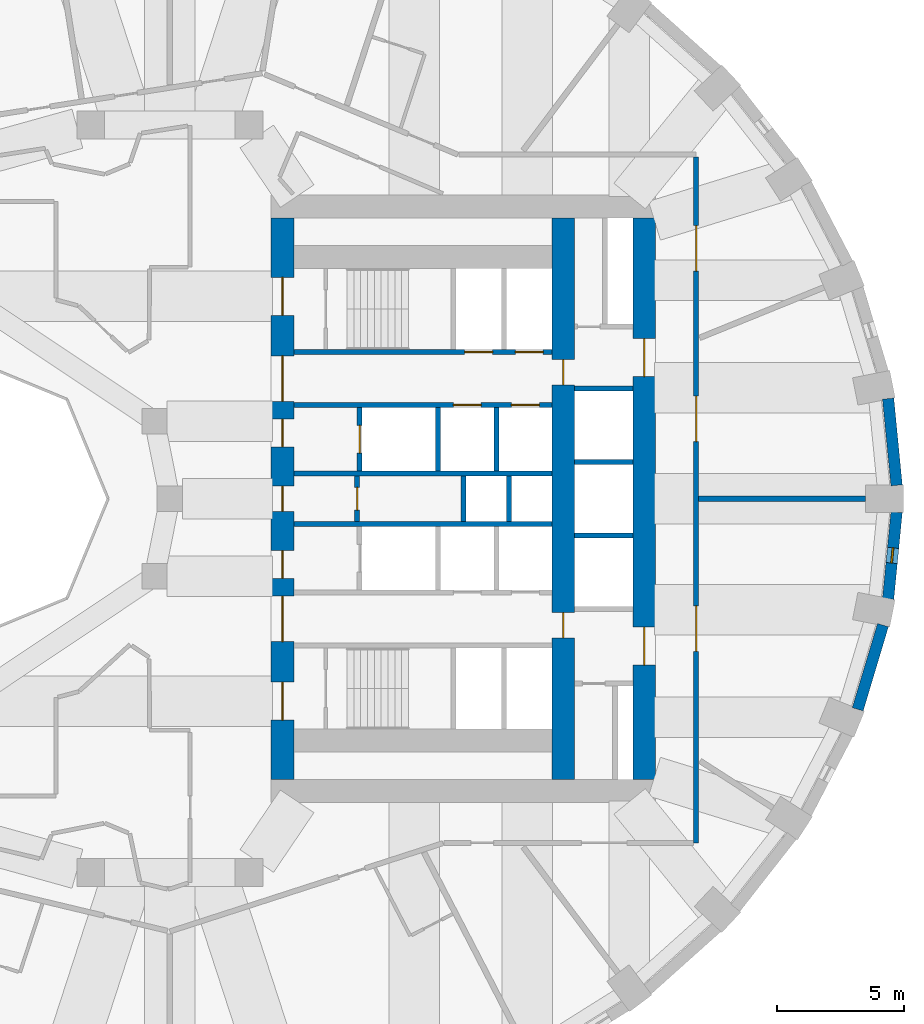
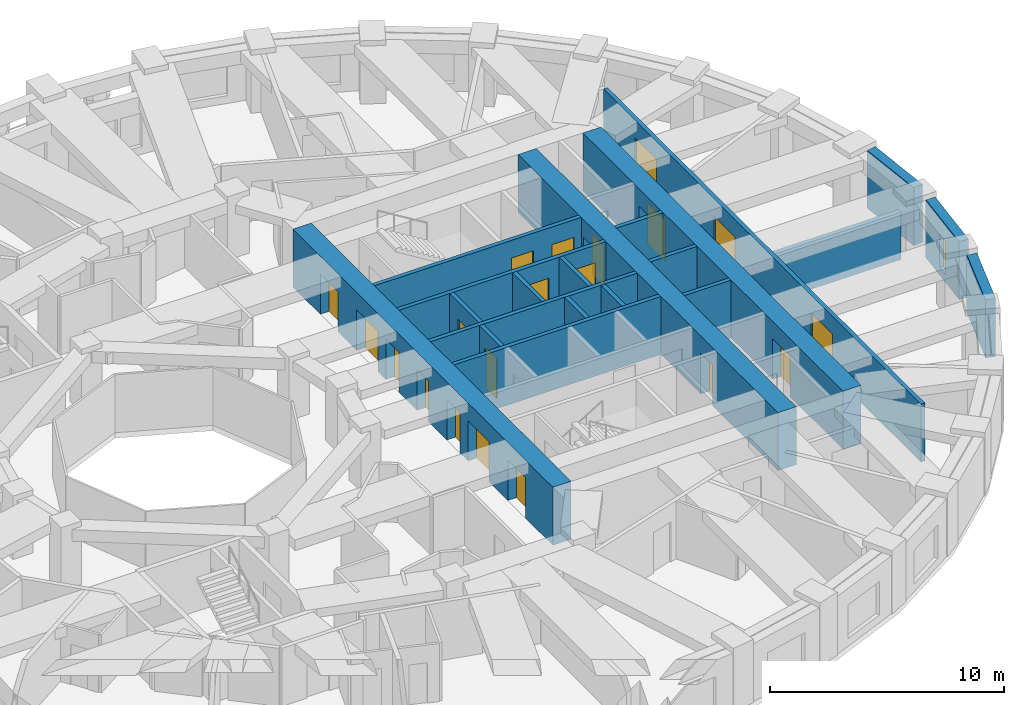
# One storey, part 6 of 13: 21 walls, 20 doors, 1 window, 21 openings.
"""IFC4 building model written with IfcOpenShell, lengths in metres."""

from ifc_helpers import new_model, si_unit, direction, frame, frame_2d, origin, place, context, subcontext, project, spatial, rectangle, extrude, material, layer, layer_set, type_object, element, fill, save


model = new_model("IFC4")

# Units and contexts
model_context = context("Model", 3, precision=1e-05, world=origin(), true_north=direction((0.0, 1.0)))
body_context = subcontext(model_context, "Body", "Model", "MODEL_VIEW")
ifc_project = project(units=[si_unit("LENGTHUNIT", "METRE"), si_unit("AREAUNIT", "SQUARE_METRE"), si_unit("VOLUMEUNIT", "CUBIC_METRE"), si_unit("PLANEANGLEUNIT", "RADIAN"), si_unit("MASSUNIT", "GRAM", prefix="KILO")], contexts=[model_context])

# Site, building, storey
site_placement = place(None, origin())
site = spatial("IfcSite", under=ifc_project, at=site_placement, CompositionType="ELEMENT")
building_placement = place(site_placement, origin())
building = spatial("IfcBuilding", under=site, at=building_placement, Name="Taillehof Tower", CompositionType="ELEMENT")
storey_placement = place(building_placement, frame((0.0, 0.0, 51.39990234375)))
storey = spatial("IfcBuildingStorey", under=building, at=storey_placement, Name="L13", CompositionType="ELEMENT", Elevation=51.39990234375)

# Walls
ifc_material_1 = material(Name="Brick masonry", Category="masonry")
ifc_layer_1 = layer(ifc_material_1, 0.449951171875)
ifc_layer_set_1 = layer_set([ifc_layer_1], Name="Brick infill wall 450")
wall_type_1 = type_object("IfcWallType", Name="Brick infill wall 450", PredefinedType="SOLIDWALL", material=ifc_layer_set_1)
wall_1_placement = place(storey_placement, frame((28.721923828125, 0.530029296875, 0.0), z_axis=(0.0, 0.0, 1.0), x_axis=(-0.097389581596, 0.995246336038, 0.0)))
element("IfcWall", 1, at=wall_1_placement, inside=storey, type_object=wall_type_1, Name="Brick wall L13 bay 1", PredefinedType="SOLIDWALL", context=body_context, shape_type="SweptSolid", body=[
    extrude(rectangle(XDim=3.44189453125, YDim=0.449951171875, at=frame_2d((1.720947265625, 0.0))), origin(), (0.0, 0.0, 1.0), 3.02001953125),
])
wall_2_placement = place(storey_placement, frame((27.184814453125, -8.322998046875, 0.0), z_axis=(0.0, 0.0, 1.0), x_axis=(0.287064133733, 0.957911364963, 0.0)))
element("IfcWall", 2, at=wall_2_placement, inside=storey, type_object=wall_type_1, Name="Brick wall L13 bay 35", PredefinedType="SOLIDWALL", context=body_context, shape_type="SweptSolid", body=[
    extrude(rectangle(XDim=3.473388671875, YDim=0.449951171875, at=frame_2d((1.73681640625, 0.0))), origin(), (0.0, 0.0, 1.0), 3.02001953125),
])

# Wall, opening, window
wall_3_placement = place(storey_placement, frame((28.38671875, -3.95556640625, 0.0), z_axis=(0.0, 0.0, 1.0), x_axis=(0.097389581596, 0.995246336038, 0.0)))
wall_3 = element("IfcWall", 3, at=wall_3_placement, inside=storey, type_object=wall_type_1, Name="Brick wall L13 bay 36", PredefinedType="SOLIDWALL", context=body_context, shape_type="SweptSolid", body=[
    extrude(rectangle(XDim=3.44189453125, YDim=0.449951171875, at=frame_2d((1.720947265625, 0.0))), origin(), (0.0, 0.0, 1.0), 3.02001953125),
])
opening_1_placement = place(wall_3_placement, frame((1.4208984375, 0.0, 0.39990234375)))
opening_1 = element("IfcOpeningElement", 4, at=opening_1_placement, cuts=wall_3, Name="Opening W6", PredefinedType="OPENING", context=body_context, shape_type="SweptSolid", body=[
    extrude(rectangle(XDim=0.60009765625, YDim=1.75, at=frame_2d((0.300048828125, 0.875))), frame((0.0, 0.23486328125, 0.0), z_axis=(0.0, -1.0, 0.0), x_axis=(1.0, 0.0, 0.0)), (0.0, 0.0, 1.0), 0.469970703125),
])
ifc_material_2 = material(Name="Aluminium window frame with clear double glazing", Category="aluminium")
window_type = type_object("IfcWindowType", Name="Slot window 600x1750", PartitioningType="SINGLE_PANEL", PredefinedType="WINDOW", material=ifc_material_2)
window_placement = place(opening_1_placement, origin())
window = element("IfcWindow", 5, at=window_placement, inside=storey, type_object=window_type, Name="W6", OverallHeight=1.75, OverallWidth=0.60009765625, PartitioningType="SINGLE_PANEL", PredefinedType="WINDOW", context=body_context, shape_type="SweptSolid", body=[
    extrude(rectangle(XDim=0.60009765625, YDim=1.75, at=frame_2d((0.300048828125, 0.875))), frame((0.0, 0.034912109375, 0.0), z_axis=(0.0, -1.0, 0.0), x_axis=(1.0, 0.0, 0.0)), (0.0, 0.0, 1.0), 0.06005859375),
])
fill(opening_1, window)

# Wall, opening, door
ifc_material_3 = material(Name="Calcium silicate masonry", Category="masonry")
ifc_layer_2 = layer(ifc_material_3, 0.199951171875)
ifc_layer_set_2 = layer_set([ifc_layer_2], Name="Compartment wall calcium silicate 200")
wall_type_2 = type_object("IfcWallType", Name="Compartment wall calcium silicate 200", PredefinedType="PARTITIONING", material=ifc_layer_set_2)
wall_4_placement = place(storey_placement, frame((7.39990234375, -0.89990234375, 0.0), z_axis=(0.0, 0.0, 1.0), x_axis=(0.0, 1.0, 0.0)))
wall_4 = element("IfcWall", 6, at=wall_4_placement, inside=storey, type_object=wall_type_2, Name="Compartment wall FW", PredefinedType="PARTITIONING", context=body_context, shape_type="SweptSolid", body=[
    extrude(rectangle(XDim=1.7998046875, YDim=0.199951171875, at=frame_2d((0.89990234375, 0.0))), origin(), (0.0, 0.0, 1.0), 3.02001953125),
])
opening_2_placement = place(wall_4_placement, frame((0.449951171875, 0.0, 0.0)))
opening_2 = element("IfcOpeningElement", 7, at=opening_2_placement, cuts=wall_4, Name="Opening D1314", PredefinedType="OPENING", context=body_context, shape_type="SweptSolid", body=[
    extrude(rectangle(XDim=0.89990234375, YDim=2.10009765625, at=frame_2d((0.449951171875, 1.050048828125))), frame((0.0, 0.10986328125, 0.0), z_axis=(0.0, -1.0, 0.0), x_axis=(1.0, 0.0, 0.0)), (0.0, 0.0, 1.0), 0.219970703125),
])
ifc_material_4 = material(Name="Steel-faced fire door", Category="steel")
door_type_1 = type_object("IfcDoorType", Name="Riser and service room door 900x2100", OperationType="SINGLE_SWING_LEFT", PredefinedType="DOOR", material=ifc_material_4)
door_1_placement = place(opening_2_placement, origin())
door_1 = element("IfcDoor", 8, at=door_1_placement, inside=storey, type_object=door_type_1, Name="Door Waste Room", OperationType="SINGLE_SWING_RIGHT", OverallHeight=2.10009765625, OverallWidth=0.89990234375, PredefinedType="DOOR", context=body_context, shape_type="SweptSolid", body=[
    extrude(rectangle(XDim=0.89990234375, YDim=2.10009765625, at=frame_2d((0.449951171875, 1.050048828125))), frame((0.0, 0.02490234375, 0.0), z_axis=(0.0, -1.0, 0.0), x_axis=(1.0, 0.0, 0.0)), (0.0, 0.0, 1.0), 0.050048828125),
])
fill(opening_2, door_1)

# Walls
for number, where, z_axis, x_axis, name in (
    (9, (11.60009765625, -0.89990234375, 0.0), (0.0, 0.0, 1.0), (0.0, 1.0, 0.0), "Compartment wall FW"),
    (10, (13.39990234375, -0.89990234375, 0.0), (0.0, 0.0, 1.0), (0.0, 1.0, 0.0), "Compartment wall FW"),
):
    element("IfcWall", number, at=place(storey_placement, frame(where, z_axis=z_axis, x_axis=x_axis)), inside=storey, type_object=wall_type_2, Name=name, PredefinedType="PARTITIONING", context=body_context, shape_type="SweptSolid", body=[
        extrude(rectangle(XDim=1.7998046875, YDim=0.199951171875, at=frame_2d((0.89990234375, 0.0))), origin(), (0.0, 0.0, 1.0), 3.02001953125),
    ])

# Wall, openings, doors
ifc_material_5 = material(Name="Gypsum board on steel studs, two layers each side", Category="steel")
ifc_layer_3 = layer(ifc_material_5, 0.199951171875)
ifc_layer_set_3 = layer_set([ifc_layer_3], Name="Compartment wall corridor 200")
wall_type_3 = type_object("IfcWallType", Name="Compartment wall corridor 200", PredefinedType="PARTITIONING", material=ifc_layer_set_3)
wall_5_placement = place(storey_placement, frame((20.800048828125, 13.5, 0.0), z_axis=(0.0, 0.0, 1.0), x_axis=(0.0, -1.0, 0.0)))
wall_5 = element("IfcWall", 11, at=wall_5_placement, inside=storey, type_object=wall_type_3, Name="Compartment wall", PredefinedType="PARTITIONING", context=body_context, shape_type="SweptSolid", body=[
    extrude(rectangle(XDim=27.10009765625, YDim=0.199951171875, at=frame_2d((13.550048828125, 0.0))), origin(), (0.0, 0.0, 1.0), 3.02001953125),
])
opening_3_placement = place(wall_5_placement, frame((17.733154296875, 0.0, 0.0)))
opening_3 = element("IfcOpeningElement", 12, at=opening_3_placement, cuts=wall_5, Name="Opening D1365", PredefinedType="OPENING", context=body_context, shape_type="SweptSolid", body=[
    extrude(rectangle(XDim=1.800048828125, YDim=2.10009765625, at=frame_2d((0.89990234375, 1.050048828125))), frame((0.0, 0.10986328125, 0.0), z_axis=(0.0, -1.0, 0.0), x_axis=(1.0, 0.0, 0.0)), (0.0, 0.0, 1.0), 0.219970703125),
])
opening_4_placement = place(wall_5_placement, frame((9.447998046875, 0.0, 0.0)))
opening_4 = element("IfcOpeningElement", 13, at=opening_4_placement, cuts=wall_5, Name="Opening D1366", PredefinedType="OPENING", context=body_context, shape_type="SweptSolid", body=[
    extrude(rectangle(XDim=1.800048828125, YDim=2.10009765625, at=frame_2d((0.89990234375, 1.050048828125))), frame((0.0, 0.10986328125, 0.0), z_axis=(0.0, -1.0, 0.0), x_axis=(1.0, 0.0, 0.0)), (0.0, 0.0, 1.0), 0.219970703125),
])
opening_5_placement = place(wall_5_placement, frame((2.703857421875, 0.0, 0.0)))
opening_5 = element("IfcOpeningElement", 14, at=opening_5_placement, cuts=wall_5, Name="Opening D1367", PredefinedType="OPENING", context=body_context, shape_type="SweptSolid", body=[
    extrude(rectangle(XDim=1.800048828125, YDim=2.10009765625, at=frame_2d((0.89990234375, 1.050048828125))), frame((0.0, 0.10986328125, 0.0), z_axis=(0.0, -1.0, 0.0), x_axis=(1.0, 0.0, 0.0)), (0.0, 0.0, 1.0), 0.219970703125),
])
ifc_material_6 = material(Name="Timber door leaf in steel frame", Category="steel")
door_type_2 = type_object("IfcDoorType", Name="Lounge and meeting room double door EI 30 1800 x 2100", OperationType="SINGLE_SWING_LEFT", PredefinedType="DOOR", material=ifc_material_6)
door_2_placement = place(opening_3_placement, origin())
door_2 = element("IfcDoor", 15, at=door_2_placement, inside=storey, type_object=door_type_2, Name="D1365", OperationType="DOUBLE_DOOR_SINGLE_SWING", OverallHeight=2.10009765625, OverallWidth=1.800048828125, PredefinedType="DOOR", context=body_context, shape_type="SweptSolid", body=[
    extrude(rectangle(XDim=1.800048828125, YDim=2.10009765625, at=frame_2d((0.89990234375, 1.050048828125))), frame((0.0, 0.02490234375, 0.0), z_axis=(0.0, -1.0, 0.0), x_axis=(1.0, 0.0, 0.0)), (0.0, 0.0, 1.0), 0.050048828125),
])
fill(opening_3, door_2)
door_3_placement = place(opening_4_placement, origin())
door_3 = element("IfcDoor", 16, at=door_3_placement, inside=storey, type_object=door_type_2, Name="D1366", OperationType="DOUBLE_DOOR_SINGLE_SWING", OverallHeight=2.10009765625, OverallWidth=1.800048828125, PredefinedType="DOOR", context=body_context, shape_type="SweptSolid", body=[
    extrude(rectangle(XDim=1.800048828125, YDim=2.10009765625, at=frame_2d((0.89990234375, 1.050048828125))), frame((0.0, 0.02490234375, 0.0), z_axis=(0.0, -1.0, 0.0), x_axis=(1.0, 0.0, 0.0)), (0.0, 0.0, 1.0), 0.050048828125),
])
fill(opening_4, door_3)
door_4_placement = place(opening_5_placement, origin())
door_4 = element("IfcDoor", 17, at=door_4_placement, inside=storey, type_object=door_type_2, Name="D1367", OperationType="DOUBLE_DOOR_SINGLE_SWING", OverallHeight=2.10009765625, OverallWidth=1.800048828125, PredefinedType="DOOR", context=body_context, shape_type="SweptSolid", body=[
    extrude(rectangle(XDim=1.800048828125, YDim=2.10009765625, at=frame_2d((0.89990234375, 1.050048828125))), frame((0.0, 0.02490234375, 0.0), z_axis=(0.0, -1.0, 0.0), x_axis=(1.0, 0.0, 0.0)), (0.0, 0.0, 1.0), 0.050048828125),
])
fill(opening_5, door_4)

# Wall
ifc_material_7 = material(Name="Gypsum board on double steel studs with mineral wool", Category="steel")
ifc_layer_4 = layer(ifc_material_7, 0.219970703125)
ifc_layer_set_4 = layer_set([ifc_layer_4], Name="Compartment wall guest room 220")
wall_type_4 = type_object("IfcWallType", Name="Compartment wall guest room 220", PredefinedType="PARTITIONING", material=ifc_layer_set_4)
wall_6_placement = place(storey_placement, frame((27.5, 0.0, 0.0), z_axis=(0.0, 0.0, 1.0), x_axis=(-1.0, 0.0, 0.0)))
element("IfcWall", 18, at=wall_6_placement, inside=storey, type_object=wall_type_4, Name="Compartment wall", PredefinedType="PARTITIONING", context=body_context, shape_type="SweptSolid", body=[
    extrude(rectangle(XDim=6.599853515625, YDim=0.219970703125, at=frame_2d((3.2998046875, 0.0))), origin(), (0.0, 0.0, 1.0), 2.47021484375),
])

# Wall, openings, doors
ifc_material_8 = material(Name="Concrete C80/95", Category="concrete")
ifc_layer_5 = layer(ifc_material_8, 0.89990234375)
ifc_layer_set_5 = layer_set([ifc_layer_5], Name="Core wall C80/95 900")
wall_type_5 = type_object("IfcWallType", Name="Core wall C80/95 900", PredefinedType="SHEAR", material=ifc_layer_set_5)
wall_7_placement = place(storey_placement, frame((4.449951171875, -11.10009765625, 0.0), z_axis=(0.0, 0.0, 1.0), x_axis=(0.0, 1.0, 0.0)))
wall_7 = element("IfcWall", 19, at=wall_7_placement, inside=storey, type_object=wall_type_5, Name="Core wall CW01", PredefinedType="SHEAR", context=body_context, shape_type="SweptSolid", body=[
    extrude(rectangle(XDim=22.2001953125, YDim=0.89990234375, at=frame_2d((11.10009765625, 0.0))), origin(), (0.0, 0.0, 1.0), 3.02001953125),
])
opening_6_placement = place(wall_7_placement, frame((2.35009765625, 0.0, 0.0)))
opening_6 = element("IfcOpeningElement", 20, at=opening_6_placement, cuts=wall_7, Name="Opening D1301", PredefinedType="OPENING", context=body_context, shape_type="SweptSolid", body=[
    extrude(rectangle(XDim=1.5, YDim=2.10009765625, at=frame_2d((0.75, 1.050048828125))), frame((0.0, 0.4599609375, 0.0), z_axis=(0.0, -1.0, 0.0), x_axis=(1.0, 0.0, 0.0)), (0.0, 0.0, 1.0), 0.919921875),
])
opening_7_placement = place(wall_7_placement, frame((5.449951171875, 0.0, 0.0)))
opening_7 = element("IfcOpeningElement", 21, at=opening_7_placement, cuts=wall_7, Name="Opening D1302", PredefinedType="OPENING", context=body_context, shape_type="SweptSolid", body=[
    extrude(rectangle(XDim=1.800048828125, YDim=2.10009765625, at=frame_2d((0.89990234375, 1.050048828125))), frame((0.0, 0.4599609375, 0.0), z_axis=(0.0, -1.0, 0.0), x_axis=(1.0, 0.0, 0.0)), (0.0, 0.0, 1.0), 0.919921875),
])
opening_8_placement = place(wall_7_placement, frame((7.949951171875, 0.0, 0.0)))
opening_8 = element("IfcOpeningElement", 22, at=opening_8_placement, cuts=wall_7, Name="Opening D1303", PredefinedType="OPENING", context=body_context, shape_type="SweptSolid", body=[
    extrude(rectangle(XDim=1.10009765625, YDim=2.10009765625, at=frame_2d((0.550048828125, 1.050048828125))), frame((0.0, 0.4599609375, 0.0), z_axis=(0.0, -1.0, 0.0), x_axis=(1.0, 0.0, 0.0)), (0.0, 0.0, 1.0), 0.919921875),
])
opening_9_placement = place(wall_7_placement, frame((10.60009765625, 0.0, 0.0)))
opening_9 = element("IfcOpeningElement", 23, at=opening_9_placement, cuts=wall_7, Name="Opening D1304", PredefinedType="OPENING", context=body_context, shape_type="SweptSolid", body=[
    extrude(rectangle(XDim=1.0, YDim=2.10009765625, at=frame_2d((0.5, 1.050048828125))), frame((0.0, 0.4599609375, 0.0), z_axis=(0.0, -1.0, 0.0), x_axis=(1.0, 0.0, 0.0)), (0.0, 0.0, 1.0), 0.919921875),
])
opening_10_placement = place(wall_7_placement, frame((13.14990234375, 0.0, 0.0)))
opening_10 = element("IfcOpeningElement", 24, at=opening_10_placement, cuts=wall_7, Name="Opening D1305", PredefinedType="OPENING", context=body_context, shape_type="SweptSolid", body=[
    extrude(rectangle(XDim=1.10009765625, YDim=2.10009765625, at=frame_2d((0.550048828125, 1.050048828125))), frame((0.0, 0.4599609375, 0.0), z_axis=(0.0, -1.0, 0.0), x_axis=(1.0, 0.0, 0.0)), (0.0, 0.0, 1.0), 0.919921875),
])
opening_11_placement = place(wall_7_placement, frame((14.949951171875, 0.0, 0.0)))
opening_11 = element("IfcOpeningElement", 25, at=opening_11_placement, cuts=wall_7, Name="Opening D1306", PredefinedType="OPENING", context=body_context, shape_type="SweptSolid", body=[
    extrude(rectangle(XDim=1.800048828125, YDim=2.10009765625, at=frame_2d((0.89990234375, 1.050048828125))), frame((0.0, 0.4599609375, 0.0), z_axis=(0.0, -1.0, 0.0), x_axis=(1.0, 0.0, 0.0)), (0.0, 0.0, 1.0), 0.919921875),
])
opening_12_placement = place(wall_7_placement, frame((18.35009765625, 0.0, 0.0)))
opening_12 = element("IfcOpeningElement", 26, at=opening_12_placement, cuts=wall_7, Name="Opening D1307", PredefinedType="OPENING", context=body_context, shape_type="SweptSolid", body=[
    extrude(rectangle(XDim=1.5, YDim=2.10009765625, at=frame_2d((0.75, 1.050048828125))), frame((0.0, 0.4599609375, 0.0), z_axis=(0.0, -1.0, 0.0), x_axis=(1.0, 0.0, 0.0)), (0.0, 0.0, 1.0), 0.919921875),
])
ifc_material_9 = material(Name="Steel-faced fire door", Category="steel")
door_type_3 = type_object("IfcDoorType", Name="Firefighting lobby door 1100x2100", OperationType="SINGLE_SWING_RIGHT", PredefinedType="DOOR", material=ifc_material_9)
door_5_placement = place(opening_8_placement, origin())
door_5 = element("IfcDoor", 27, at=door_5_placement, inside=storey, type_object=door_type_3, Name="Firefighting lobby door FFL-S", OperationType="SINGLE_SWING_RIGHT", OverallHeight=2.10009765625, OverallWidth=1.10009765625, PredefinedType="DOOR", context=body_context, shape_type="SweptSolid", body=[
    extrude(rectangle(XDim=1.10009765625, YDim=2.10009765625, at=frame_2d((0.550048828125, 1.050048828125))), frame((0.0, 0.02490234375, 0.0), z_axis=(0.0, -1.0, 0.0), x_axis=(1.0, 0.0, 0.0)), (0.0, 0.0, 1.0), 0.050048828125),
])
fill(opening_8, door_5)
door_6_placement = place(opening_10_placement, origin())
door_6 = element("IfcDoor", 28, at=door_6_placement, inside=storey, type_object=door_type_3, Name="Firefighting lobby door FFL-N", OperationType="SINGLE_SWING_LEFT", OverallHeight=2.10009765625, OverallWidth=1.10009765625, PredefinedType="DOOR", context=body_context, shape_type="SweptSolid", body=[
    extrude(rectangle(XDim=1.10009765625, YDim=2.10009765625, at=frame_2d((0.550048828125, 1.050048828125))), frame((0.0, 0.02490234375, 0.0), z_axis=(0.0, -1.0, 0.0), x_axis=(1.0, 0.0, 0.0)), (0.0, 0.0, 1.0), 0.050048828125),
])
fill(opening_10, door_6)
ifc_material_10 = material(Name="Steel-faced fire door", Category="steel")
door_type_4 = type_object("IfcDoorType", Name="Lift lobby door 1800x2100", OperationType="DOUBLE_DOOR_SINGLE_SWING", PredefinedType="DOOR", material=ifc_material_10)
door_7_placement = place(opening_7_placement, origin())
door_7 = element("IfcDoor", 29, at=door_7_placement, inside=storey, type_object=door_type_4, Name="Lift lobby door LL-S", OperationType="DOUBLE_DOOR_SINGLE_SWING", OverallHeight=2.10009765625, OverallWidth=1.800048828125, PredefinedType="DOOR", context=body_context, shape_type="SweptSolid", body=[
    extrude(rectangle(XDim=1.800048828125, YDim=2.10009765625, at=frame_2d((0.89990234375, 1.050048828125))), frame((0.0, 0.02490234375, 0.0), z_axis=(0.0, -1.0, 0.0), x_axis=(1.0, 0.0, 0.0)), (0.0, 0.0, 1.0), 0.050048828125),
])
fill(opening_7, door_7)
door_8_placement = place(opening_11_placement, origin())
door_8 = element("IfcDoor", 30, at=door_8_placement, inside=storey, type_object=door_type_4, Name="Lift lobby door LL-N", OperationType="DOUBLE_DOOR_SINGLE_SWING", OverallHeight=2.10009765625, OverallWidth=1.800048828125, PredefinedType="DOOR", context=body_context, shape_type="SweptSolid", body=[
    extrude(rectangle(XDim=1.800048828125, YDim=2.10009765625, at=frame_2d((0.89990234375, 1.050048828125))), frame((0.0, 0.02490234375, 0.0), z_axis=(0.0, -1.0, 0.0), x_axis=(1.0, 0.0, 0.0)), (0.0, 0.0, 1.0), 0.050048828125),
])
fill(opening_11, door_8)
ifc_material_11 = material(Name="Steel-faced fire door", Category="steel")
door_type_5 = type_object("IfcDoorType", Name="Service door 1000x2100", OperationType="SINGLE_SWING_RIGHT", PredefinedType="DOOR", material=ifc_material_11)
door_9_placement = place(opening_9_placement, origin())
door_9 = element("IfcDoor", 31, at=door_9_placement, inside=storey, type_object=door_type_5, Name="Service door SV", OperationType="SINGLE_SWING_RIGHT", OverallHeight=2.10009765625, OverallWidth=1.0, PredefinedType="DOOR", context=body_context, shape_type="SweptSolid", body=[
    extrude(rectangle(XDim=1.0, YDim=2.10009765625, at=frame_2d((0.5, 1.050048828125))), frame((0.0, 0.02490234375, 0.0), z_axis=(0.0, -1.0, 0.0), x_axis=(1.0, 0.0, 0.0)), (0.0, 0.0, 1.0), 0.050048828125),
])
fill(opening_9, door_9)
ifc_material_12 = material(Name="Steel-faced fire door", Category="steel")
door_type_6 = type_object("IfcDoorType", Name="Stair door 1500x2100", OperationType="DOUBLE_DOOR_SINGLE_SWING", PredefinedType="DOOR", material=ifc_material_12)
door_10_placement = place(opening_6_placement, origin())
door_10 = element("IfcDoor", 32, at=door_10_placement, inside=storey, type_object=door_type_6, Name="Stair door S2", OperationType="DOUBLE_DOOR_SINGLE_SWING", OverallHeight=2.10009765625, OverallWidth=1.5, PredefinedType="DOOR", context=body_context, shape_type="SweptSolid", body=[
    extrude(rectangle(XDim=1.5, YDim=2.10009765625, at=frame_2d((0.75, 1.050048828125))), frame((0.0, 0.02490234375, 0.0), z_axis=(0.0, -1.0, 0.0), x_axis=(1.0, 0.0, 0.0)), (0.0, 0.0, 1.0), 0.050048828125),
])
fill(opening_6, door_10)
door_11_placement = place(opening_12_placement, origin())
door_11 = element("IfcDoor", 33, at=door_11_placement, inside=storey, type_object=door_type_6, Name="Stair door S1", OperationType="DOUBLE_DOOR_SINGLE_SWING", OverallHeight=2.10009765625, OverallWidth=1.5, PredefinedType="DOOR", context=body_context, shape_type="SweptSolid", body=[
    extrude(rectangle(XDim=1.5, YDim=2.10009765625, at=frame_2d((0.75, 1.050048828125))), frame((0.0, 0.02490234375, 0.0), z_axis=(0.0, -1.0, 0.0), x_axis=(1.0, 0.0, 0.0)), (0.0, 0.0, 1.0), 0.050048828125),
])
fill(opening_12, door_11)

wall_8_placement = place(storey_placement, frame((18.75, -11.10009765625, 0.0), z_axis=(0.0, 0.0, 1.0), x_axis=(0.0, 1.0, 0.0)))
wall_8 = element("IfcWall", 34, at=wall_8_placement, inside=storey, type_object=wall_type_5, Name="Core wall CW02", PredefinedType="SHEAR", context=body_context, shape_type="SweptSolid", body=[
    extrude(rectangle(XDim=22.2001953125, YDim=0.89990234375, at=frame_2d((11.10009765625, 0.0))), origin(), (0.0, 0.0, 1.0), 3.02001953125),
])
opening_13_placement = place(wall_8_placement, frame((15.925048828125, 0.0, 0.0)))
opening_13 = element("IfcOpeningElement", 35, at=opening_13_placement, cuts=wall_8, Name="Opening D1308", PredefinedType="OPENING", context=body_context, shape_type="SweptSolid", body=[
    extrude(rectangle(XDim=1.5, YDim=2.10009765625, at=frame_2d((0.75, 1.050048828125))), frame((0.0, 0.4599609375, 0.0), z_axis=(0.0, -1.0, 0.0), x_axis=(1.0, 0.0, 0.0)), (0.0, 0.0, 1.0), 0.919921875),
])
opening_14_placement = place(wall_8_placement, frame((4.52490234375, 0.0, 0.0)))
opening_14 = element("IfcOpeningElement", 36, at=opening_14_placement, cuts=wall_8, Name="Opening D1309", PredefinedType="OPENING", context=body_context, shape_type="SweptSolid", body=[
    extrude(rectangle(XDim=1.5, YDim=2.10009765625, at=frame_2d((0.75, 1.050048828125))), frame((0.0, 0.4599609375, 0.0), z_axis=(0.0, -1.0, 0.0), x_axis=(1.0, 0.0, 0.0)), (0.0, 0.0, 1.0), 0.919921875),
])
ifc_material_13 = material(Name="Steel-faced fire door", Category="steel")
door_type_7 = type_object("IfcDoorType", Name="Lift lobby east door 1500x2100", OperationType="DOUBLE_DOOR_SINGLE_SWING", PredefinedType="DOOR", material=ifc_material_13)
door_12_placement = place(opening_13_placement, origin())
door_12 = element("IfcDoor", 37, at=door_12_placement, inside=storey, type_object=door_type_7, Name="Lift lobby east door north", OperationType="DOUBLE_DOOR_SINGLE_SWING", OverallHeight=2.10009765625, OverallWidth=1.5, PredefinedType="DOOR", context=body_context, shape_type="SweptSolid", body=[
    extrude(rectangle(XDim=1.5, YDim=2.10009765625, at=frame_2d((0.75, 1.050048828125))), frame((0.0, 0.02490234375, 0.0), z_axis=(0.0, -1.0, 0.0), x_axis=(1.0, 0.0, 0.0)), (0.0, 0.0, 1.0), 0.050048828125),
])
fill(opening_13, door_12)
door_13_placement = place(opening_14_placement, origin())
door_13 = element("IfcDoor", 38, at=door_13_placement, inside=storey, type_object=door_type_7, Name="Lift lobby east door south", OperationType="DOUBLE_DOOR_SINGLE_SWING", OverallHeight=2.10009765625, OverallWidth=1.5, PredefinedType="DOOR", context=body_context, shape_type="SweptSolid", body=[
    extrude(rectangle(XDim=1.5, YDim=2.10009765625, at=frame_2d((0.75, 1.050048828125))), frame((0.0, 0.02490234375, 0.0), z_axis=(0.0, -1.0, 0.0), x_axis=(1.0, 0.0, 0.0)), (0.0, 0.0, 1.0), 0.050048828125),
])
fill(opening_14, door_13)

wall_9_placement = place(storey_placement, frame((15.550048828125, -11.10009765625, 0.0), z_axis=(0.0, 0.0, 1.0), x_axis=(0.0, 1.0, 0.0)))
wall_9 = element("IfcWall", 39, at=wall_9_placement, inside=storey, type_object=wall_type_5, Name="Core wall CW05", PredefinedType="SHEAR", context=body_context, shape_type="SweptSolid", body=[
    extrude(rectangle(XDim=22.2001953125, YDim=0.89990234375, at=frame_2d((11.10009765625, 0.0))), origin(), (0.0, 0.0, 1.0), 3.02001953125),
])
opening_15_placement = place(wall_9_placement, frame((15.60009765625, 0.0, 0.0)))
opening_15 = element("IfcOpeningElement", 40, at=opening_15_placement, cuts=wall_9, Name="Opening D1315", PredefinedType="OPENING", context=body_context, shape_type="SweptSolid", body=[
    extrude(rectangle(XDim=1.0, YDim=2.10009765625, at=frame_2d((0.5, 1.050048828125))), frame((0.0, 0.4599609375, 0.0), z_axis=(0.0, -1.0, 0.0), x_axis=(1.0, 0.0, 0.0)), (0.0, 0.0, 1.0), 0.919921875),
])
opening_16_placement = place(wall_9_placement, frame((5.60009765625, 0.0, 0.0)))
opening_16 = element("IfcOpeningElement", 41, at=opening_16_placement, cuts=wall_9, Name="Opening D1317", PredefinedType="OPENING", context=body_context, shape_type="SweptSolid", body=[
    extrude(rectangle(XDim=1.0, YDim=2.10009765625, at=frame_2d((0.5, 1.050048828125))), frame((0.0, 0.4599609375, 0.0), z_axis=(0.0, -1.0, 0.0), x_axis=(1.0, 0.0, 0.0)), (0.0, 0.0, 1.0), 0.919921875),
])
door_14_placement = place(opening_15_placement, origin())
door_14 = element("IfcDoor", 42, at=door_14_placement, inside=storey, type_object=door_type_5, Name="Service door strip", OperationType="SINGLE_SWING_RIGHT", OverallHeight=2.10009765625, OverallWidth=1.0, PredefinedType="DOOR", context=body_context, shape_type="SweptSolid", body=[
    extrude(rectangle(XDim=1.0, YDim=2.10009765625, at=frame_2d((0.5, 1.050048828125))), frame((0.0, 0.02490234375, 0.0), z_axis=(0.0, -1.0, 0.0), x_axis=(1.0, 0.0, 0.0)), (0.0, 0.0, 1.0), 0.050048828125),
])
fill(opening_15, door_14)
door_15_placement = place(opening_16_placement, origin())
door_15 = element("IfcDoor", 43, at=door_15_placement, inside=storey, type_object=door_type_5, Name="Service door strip", OperationType="SINGLE_SWING_LEFT", OverallHeight=2.10009765625, OverallWidth=1.0, PredefinedType="DOOR", context=body_context, shape_type="SweptSolid", body=[
    extrude(rectangle(XDim=1.0, YDim=2.10009765625, at=frame_2d((0.5, 1.050048828125))), frame((0.0, 0.02490234375, 0.0), z_axis=(0.0, -1.0, 0.0), x_axis=(1.0, 0.0, 0.0)), (0.0, 0.0, 1.0), 0.050048828125),
])
fill(opening_16, door_15)

ifc_material_14 = material(Name="Concrete C50/60", Category="concrete")
ifc_layer_6 = layer(ifc_material_14, 0.199951171875)
ifc_layer_set_6 = layer_set([ifc_layer_6], Name="Shaft wall C50/60 200")
wall_type_6 = type_object("IfcWallType", Name="Shaft wall C50/60 200", PredefinedType="SHEAR", material=ifc_layer_set_6)
wall_10_placement = place(storey_placement, frame((4.89990234375, 5.800048828125, 0.0), z_axis=(0.0, 0.0, 1.0), x_axis=(1.0, 0.0, 0.0)))
wall_10 = element("IfcWall", 44, at=wall_10_placement, inside=storey, type_object=wall_type_6, Name="Shaft wall SW", PredefinedType="SHEAR", context=body_context, shape_type="SweptSolid", body=[
    extrude(rectangle(XDim=10.2001953125, YDim=0.199951171875, at=frame_2d((5.10009765625, 0.0))), origin(), (0.0, 0.0, 1.0), 3.02001953125),
])
opening_17_placement = place(wall_10_placement, frame((6.75, 0.0, 0.0)))
opening_17 = element("IfcOpeningElement", 45, at=opening_17_placement, cuts=wall_10, Name="Opening LD1", PredefinedType="OPENING", context=body_context, shape_type="SweptSolid", body=[
    extrude(rectangle(XDim=1.10009765625, YDim=2.10009765625, at=frame_2d((0.550048828125, 1.050048828125))), frame((0.0, 0.10986328125, 0.0), z_axis=(0.0, -1.0, 0.0), x_axis=(1.0, 0.0, 0.0)), (0.0, 0.0, 1.0), 0.219970703125),
])
opening_18_placement = place(wall_10_placement, frame((8.75, 0.0, 0.0)))
opening_18 = element("IfcOpeningElement", 46, at=opening_18_placement, cuts=wall_10, Name="Opening LD1", PredefinedType="OPENING", context=body_context, shape_type="SweptSolid", body=[
    extrude(rectangle(XDim=1.10009765625, YDim=2.10009765625, at=frame_2d((0.550048828125, 1.050048828125))), frame((0.0, 0.10986328125, 0.0), z_axis=(0.0, -1.0, 0.0), x_axis=(1.0, 0.0, 0.0)), (0.0, 0.0, 1.0), 0.219970703125),
])
ifc_material_15 = material(Name="Stainless steel", Category="steel")
door_type_8 = type_object("IfcDoorType", Name="Lift landing door LD1 1100x2100", OperationType="DOUBLE_DOOR_SLIDING", PredefinedType="DOOR", material=ifc_material_15)
door_16_placement = place(opening_17_placement, origin())
door_16 = element("IfcDoor", 47, at=door_16_placement, inside=storey, type_object=door_type_8, Name="Landing door LR1", OperationType="DOUBLE_DOOR_SLIDING", OverallHeight=2.10009765625, OverallWidth=1.10009765625, PredefinedType="DOOR", context=body_context, shape_type="SweptSolid", body=[
    extrude(rectangle(XDim=1.10009765625, YDim=2.10009765625, at=frame_2d((0.550048828125, 1.050048828125))), frame((0.0, 0.02490234375, 0.0), z_axis=(0.0, -1.0, 0.0), x_axis=(1.0, 0.0, 0.0)), (0.0, 0.0, 1.0), 0.050048828125),
])
fill(opening_17, door_16)
door_17_placement = place(opening_18_placement, origin())
door_17 = element("IfcDoor", 48, at=door_17_placement, inside=storey, type_object=door_type_8, Name="Landing door LR2", OperationType="DOUBLE_DOOR_SLIDING", OverallHeight=2.10009765625, OverallWidth=1.10009765625, PredefinedType="DOOR", context=body_context, shape_type="SweptSolid", body=[
    extrude(rectangle(XDim=1.10009765625, YDim=2.10009765625, at=frame_2d((0.550048828125, 1.050048828125))), frame((0.0, 0.02490234375, 0.0), z_axis=(0.0, -1.0, 0.0), x_axis=(1.0, 0.0, 0.0)), (0.0, 0.0, 1.0), 0.050048828125),
])
fill(opening_18, door_17)

wall_11_placement = place(storey_placement, frame((4.89990234375, 3.699951171875, 0.0), z_axis=(0.0, 0.0, 1.0), x_axis=(1.0, 0.0, 0.0)))
wall_11 = element("IfcWall", 49, at=wall_11_placement, inside=storey, type_object=wall_type_6, Name="Shaft wall SW", PredefinedType="SHEAR", context=body_context, shape_type="SweptSolid", body=[
    extrude(rectangle(XDim=10.2001953125, YDim=0.199951171875, at=frame_2d((5.10009765625, 0.0))), origin(), (0.0, 0.0, 1.0), 3.02001953125),
])
opening_19_placement = place(wall_11_placement, frame((6.300048828125, 0.0, 0.0)))
opening_19 = element("IfcOpeningElement", 50, at=opening_19_placement, cuts=wall_11, Name="Opening LD1", PredefinedType="OPENING", context=body_context, shape_type="SweptSolid", body=[
    extrude(rectangle(XDim=1.10009765625, YDim=2.10009765625, at=frame_2d((0.550048828125, 1.050048828125))), frame((0.0, 0.10986328125, 0.0), z_axis=(0.0, -1.0, 0.0), x_axis=(1.0, 0.0, 0.0)), (0.0, 0.0, 1.0), 0.219970703125),
])
opening_20_placement = place(wall_11_placement, frame((8.60009765625, 0.0, 0.0)))
opening_20 = element("IfcOpeningElement", 51, at=opening_20_placement, cuts=wall_11, Name="Opening LD1", PredefinedType="OPENING", context=body_context, shape_type="SweptSolid", body=[
    extrude(rectangle(XDim=1.10009765625, YDim=2.10009765625, at=frame_2d((0.550048828125, 1.050048828125))), frame((0.0, 0.10986328125, 0.0), z_axis=(0.0, -1.0, 0.0), x_axis=(1.0, 0.0, 0.0)), (0.0, 0.0, 1.0), 0.219970703125),
])
door_18_placement = place(opening_19_placement, origin())
door_18 = element("IfcDoor", 52, at=door_18_placement, inside=storey, type_object=door_type_8, Name="Landing door LR3", OperationType="DOUBLE_DOOR_SLIDING", OverallHeight=2.10009765625, OverallWidth=1.10009765625, PredefinedType="DOOR", context=body_context, shape_type="SweptSolid", body=[
    extrude(rectangle(XDim=1.10009765625, YDim=2.10009765625, at=frame_2d((0.550048828125, 1.050048828125))), frame((0.0, 0.02490234375, 0.0), z_axis=(0.0, -1.0, 0.0), x_axis=(1.0, 0.0, 0.0)), (0.0, 0.0, 1.0), 0.050048828125),
])
fill(opening_19, door_18)
door_19_placement = place(opening_20_placement, origin())
door_19 = element("IfcDoor", 53, at=door_19_placement, inside=storey, type_object=door_type_8, Name="Landing door LR4", OperationType="DOUBLE_DOOR_SLIDING", OverallHeight=2.10009765625, OverallWidth=1.10009765625, PredefinedType="DOOR", context=body_context, shape_type="SweptSolid", body=[
    extrude(rectangle(XDim=1.10009765625, YDim=2.10009765625, at=frame_2d((0.550048828125, 1.050048828125))), frame((0.0, 0.02490234375, 0.0), z_axis=(0.0, -1.0, 0.0), x_axis=(1.0, 0.0, 0.0)), (0.0, 0.0, 1.0), 0.050048828125),
])
fill(opening_20, door_19)

# Walls
for number, where, z_axis, x_axis, name in (
    (54, (4.89990234375, 1.0, 0.0), (0.0, 0.0, 1.0), (1.0, 0.0, 0.0), "Shaft wall SW"),
    (55, (4.89990234375, -1.0, 0.0), (0.0, 0.0, 1.0), (1.0, 0.0, 0.0), "Shaft wall SW"),
):
    element("IfcWall", number, at=place(storey_placement, frame(where, z_axis=z_axis, x_axis=x_axis)), inside=storey, type_object=wall_type_6, Name=name, PredefinedType="SHEAR", context=body_context, shape_type="SweptSolid", body=[
        extrude(rectangle(XDim=10.2001953125, YDim=0.199951171875, at=frame_2d((5.10009765625, 0.0))), origin(), (0.0, 0.0, 1.0), 3.02001953125),
    ])

# Wall, opening, door
wall_12_placement = place(storey_placement, frame((7.5, 1.10009765625, 0.0), z_axis=(0.0, 0.0, 1.0), x_axis=(0.0, 1.0, 0.0)))
wall_12 = element("IfcWall", 56, at=wall_12_placement, inside=storey, type_object=wall_type_6, Name="Shaft wall SW", PredefinedType="SHEAR", context=body_context, shape_type="SweptSolid", body=[
    extrude(rectangle(XDim=2.5, YDim=0.199951171875, at=frame_2d((1.25, 0.0))), origin(), (0.0, 0.0, 1.0), 3.02001953125),
])
opening_21_placement = place(wall_12_placement, frame((0.699951171875, 0.0, 0.0)))
opening_21 = element("IfcOpeningElement", 57, at=opening_21_placement, cuts=wall_12, Name="Opening LD1", PredefinedType="OPENING", context=body_context, shape_type="SweptSolid", body=[
    extrude(rectangle(XDim=1.10009765625, YDim=2.10009765625, at=frame_2d((0.550048828125, 1.050048828125))), frame((0.0, 0.10986328125, 0.0), z_axis=(0.0, -1.0, 0.0), x_axis=(1.0, 0.0, 0.0)), (0.0, 0.0, 1.0), 0.219970703125),
])
door_20_placement = place(opening_21_placement, origin())
door_20 = element("IfcDoor", 58, at=door_20_placement, inside=storey, type_object=door_type_8, Name="Landing door FF1", OperationType="DOUBLE_DOOR_SLIDING", OverallHeight=2.10009765625, OverallWidth=1.10009765625, PredefinedType="DOOR", context=body_context, shape_type="SweptSolid", body=[
    extrude(rectangle(XDim=1.10009765625, YDim=2.10009765625, at=frame_2d((0.550048828125, 1.050048828125))), frame((0.0, 0.02490234375, 0.0), z_axis=(0.0, -1.0, 0.0), x_axis=(1.0, 0.0, 0.0)), (0.0, 0.0, 1.0), 0.050048828125),
])
fill(opening_21, door_20)

# Walls
for number, where, z_axis, x_axis, name in (
    (59, (10.60009765625, 1.10009765625, 0.0), (0.0, 0.0, 1.0), (0.0, 1.0, 0.0), "Shaft wall SW"),
    (60, (12.89990234375, 1.10009765625, 0.0), (0.0, 0.0, 1.0), (0.0, 1.0, 0.0), "Shaft wall SW"),
):
    element("IfcWall", number, at=place(storey_placement, frame(where, z_axis=z_axis, x_axis=x_axis)), inside=storey, type_object=wall_type_6, Name=name, PredefinedType="SHEAR", context=body_context, shape_type="SweptSolid", body=[
        extrude(rectangle(XDim=2.5, YDim=0.199951171875, at=frame_2d((1.25, 0.0))), origin(), (0.0, 0.0, 1.0), 3.02001953125),
    ])
for number, where, z_axis, x_axis, name in (
    (61, (16.0, -1.449951171875, 0.0), (0.0, 0.0, 1.0), (1.0, 0.0, 0.0), "Shaft wall SW"),
    (62, (16.0, 1.449951171875, 0.0), (0.0, 0.0, 1.0), (1.0, 0.0, 0.0), "Shaft wall SW"),
    (63, (16.0, 4.35009765625, 0.0), (0.0, 0.0, 1.0), (1.0, 0.0, 0.0), "Shaft wall SW"),
):
    element("IfcWall", number, at=place(storey_placement, frame(where, z_axis=z_axis, x_axis=x_axis)), inside=storey, type_object=wall_type_6, Name=name, PredefinedType="SHEAR", context=body_context, shape_type="SweptSolid", body=[
        extrude(rectangle(XDim=2.300048828125, YDim=0.199951171875, at=frame_2d((1.14990234375, 0.0))), origin(), (0.0, 0.0, 1.0), 3.02001953125),
    ])

save(model, "model.ifc")
